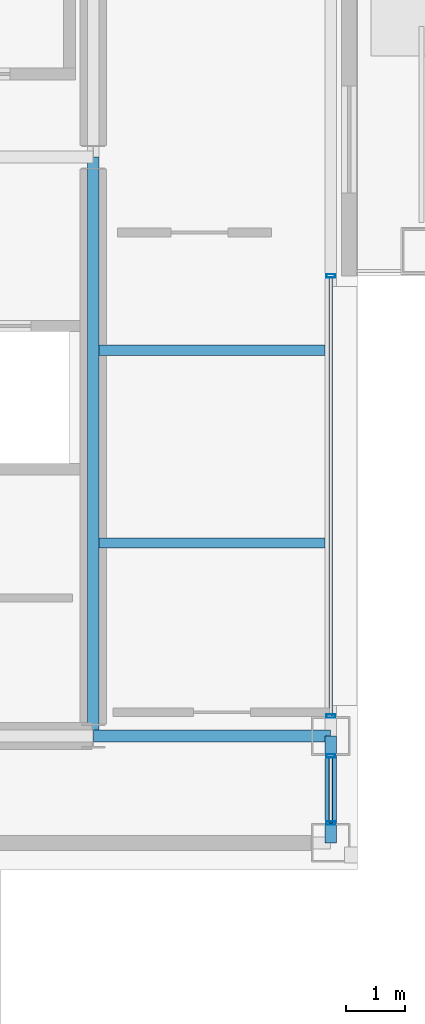
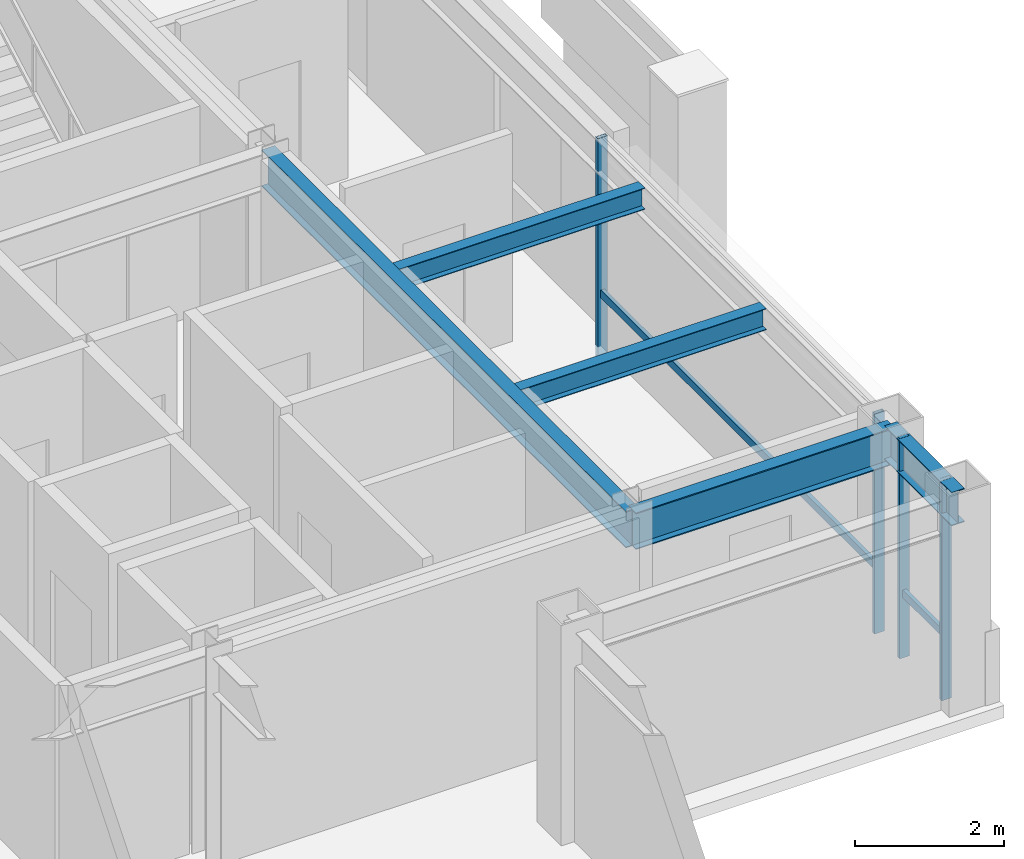
# One storey, part 11 of 24: 6 members, 5 beams, 2 elements without a shape of their own.
"""IFC4 building model written with IfcOpenShell, lengths in metres."""

from ifc_helpers import new_model, si_unit, direction, frame, origin, origin_2d, place, context, subcontext, project, spatial, hollow_rectangle, i_section, extrude, material, layer, layer_set, material_profile, profile_set, type_object, element, aggregate, save


model = new_model("IFC4")

# Units and contexts
model_context = context("Model", 3, precision=1e-05, world=origin(), true_north=direction((0.0, 1.0)))
body_context = subcontext(model_context, "Body", "Model", "MODEL_VIEW")
ifc_project = project(units=[si_unit("LENGTHUNIT", "METRE"), si_unit("AREAUNIT", "SQUARE_METRE"), si_unit("VOLUMEUNIT", "CUBIC_METRE"), si_unit("PLANEANGLEUNIT", "RADIAN"), si_unit("MASSUNIT", "GRAM", prefix="KILO")], contexts=[model_context])

# Site, building, storey
site_placement = place(None, origin())
site = spatial("IfcSite", under=ifc_project, at=site_placement, CompositionType="ELEMENT")
building_placement = place(site_placement, origin())
building = spatial("IfcBuilding", under=site, at=building_placement, Name="Brelmoor Portico Tower", CompositionType="ELEMENT")
storey_placement = place(building_placement, frame((0.0, 0.0, 232.800048828125)))
storey = spatial("IfcBuildingStorey", under=building, at=storey_placement, Name="L61", CompositionType="ELEMENT", Elevation=232.800048828125)

# Beams
ifc_material_1 = material(Name="Steel Q355B", Category="steel")
ifc_material_profile_1 = material_profile(ifc_material_1, i_section(OverallWidth=0.175048828125, OverallDepth=0.35009765625, WebThickness=0.007080078125, FlangeThickness=0.010986328125, at=origin_2d()), Name="HN 350x175x7x11")
ifc_profile_set_1 = profile_set([ifc_material_profile_1], Name="Steel Q355B")
beam_type_1 = type_object("IfcBeamType", Name="BM-JS-350", PredefinedType="JOIST", material=ifc_profile_set_1)
for number, where, z_axis, x_axis, name in (
    (1, (14.64990234375, -6.5, 3.224853515625), (1.0, 0.0, 0.0), (0.0, 1.0, 0.0), "L61 Secondary Wing Joist JS-E11"),
    (2, (14.64990234375, -3.25, 3.224853515625), (1.0, 0.0, 0.0), (0.0, 1.0, 0.0), "L61 Secondary Wing Joist JS-E12"),
):
    element("IfcBeam", number, at=place(storey_placement, frame(where, z_axis=z_axis, x_axis=x_axis)), inside=storey, type_object=beam_type_1, Name=name, PredefinedType="JOIST", context=body_context, shape_type="SweptSolid", body=[
        extrude(i_section(OverallWidth=0.175048828125, OverallDepth=0.35009765625, WebThickness=0.007080078125, FlangeThickness=0.010986328125, at=origin_2d()), origin(), (0.0, 0.0, 1.0), 3.800048828125),
    ])
ifc_material_profile_2 = material_profile(ifc_material_1, i_section(OverallWidth=0.199951171875, OverallDepth=0.60009765625, WebThickness=0.010986328125, FlangeThickness=0.01708984375, at=origin_2d()), Name="HN 600x200x11x17")
ifc_profile_set_2 = profile_set([ifc_material_profile_2], Name="Steel Q355B")
beam_type_2 = type_object("IfcBeamType", Name="BM-PG-600", PredefinedType="BEAM", material=ifc_profile_set_2)
beam_1_placement = place(storey_placement, frame((14.550048828125, -9.75, 3.099853515625), z_axis=(0.0, 1.0, 0.0), x_axis=(-1.0, 0.0, 0.0)))
element("IfcBeam", 3, at=beam_1_placement, inside=storey, type_object=beam_type_2, Name="L61 Primary Floor Girder PG-09", PredefinedType="BEAM", context=body_context, shape_type="SweptSolid", body=[
    extrude(i_section(OverallWidth=0.199951171875, OverallDepth=0.60009765625, WebThickness=0.010986328125, FlangeThickness=0.01708984375, at=origin_2d()), origin(), (0.0, 0.0, 1.0), 9.75),
])
beam_2_placement = place(storey_placement, frame((14.550048828125, -9.75, 3.099853515625), z_axis=(1.0, 0.0, 0.0), x_axis=(0.0, 1.0, 0.0)))
element("IfcBeam", 4, at=beam_2_placement, inside=storey, type_object=beam_type_2, Name="L61 Primary Floor Girder PG-15", PredefinedType="BEAM", context=body_context, shape_type="SweptSolid", body=[
    extrude(i_section(OverallWidth=0.199951171875, OverallDepth=0.60009765625, WebThickness=0.010986328125, FlangeThickness=0.01708984375, at=origin_2d()), origin(), (0.0, 0.0, 1.0), 4.0),
])
ifc_material_profile_3 = material_profile(ifc_material_1, i_section(OverallWidth=0.199951171875, OverallDepth=0.550048828125, WebThickness=0.010009765625, FlangeThickness=0.01611328125, at=origin_2d()), Name="HN 550x200x10x16")
ifc_profile_set_3 = profile_set([ifc_material_profile_3], Name="Steel Q355B")
beam_type_3 = type_object("IfcBeamType", Name="BM-SP-550", PredefinedType="SPANDREL", material=ifc_profile_set_3)
beam_3_placement = place(storey_placement, frame((18.550048828125, -11.550048828125, 3.125), z_axis=(0.0, 1.0, 0.0), x_axis=(-1.0, 0.0, 0.0)))
element("IfcBeam", 5, at=beam_3_placement, inside=storey, type_object=beam_type_3, Name="L61 Perimeter Spandrel Beam SP-18", PredefinedType="SPANDREL", context=body_context, shape_type="SweptSolid", body=[
    extrude(i_section(OverallWidth=0.199951171875, OverallDepth=0.550048828125, WebThickness=0.010009765625, FlangeThickness=0.01611328125, at=origin_2d()), origin(), (0.0, 0.0, 1.0), 1.800048828125),
])

# Curtain wall, members
ifc_material_2 = material(Name="Anodised Aluminium Alloy 6063-T6", Category="aluminium")
ifc_layer = layer(ifc_material_2, 0.179931640625)
ifc_layer_set = layer_set([ifc_layer], Name="Anodised Aluminium Alloy 6063-T6")
curtain_wall_type = type_object("IfcCurtainWallType", Name="CW-TOWER-Z4", PredefinedType="NOTDEFINED", material=ifc_layer_set)
curtain_wall_1_placement = place(storey_placement, origin())
curtain_wall_1 = element("IfcCurtainWall", 6, at=curtain_wall_1_placement, inside=storey, type_object=curtain_wall_type, Name="L61 Curtain Wall CW-L61-4L-1", PredefinedType="NOTDEFINED")
ifc_material_profile_4 = material_profile(ifc_material_2, hollow_rectangle(XDim=0.06005859375, YDim=0.14990234375, WallThickness=0.00390625, at=origin_2d()), Name="ALU MULLION 60x150")
ifc_profile_set_4 = profile_set([ifc_material_profile_4], Name="Anodised Aluminium Alloy 6063-T6")
member_type_1 = type_object("IfcMemberType", Name="MB-CW-MULL-150", PredefinedType="MULLION", material=ifc_profile_set_4)
member_1_placement = place(storey_placement, frame((18.550048828125, -11.215087890625, -0.199951171875), z_axis=(0.0, 0.0, 1.0), x_axis=(0.0, 1.0, 0.0)))
member_1 = element("IfcMember", 7, at=member_1_placement, type_object=member_type_1, Name="CW-L61-4L-1 Mullion 00", PredefinedType="MULLION", context=body_context, shape_type="SweptSolid", body=[
    extrude(hollow_rectangle(XDim=0.06005859375, YDim=0.14990234375, WallThickness=0.00390625, at=origin_2d()), origin(), (0.0, 0.0, 1.0), 3.599853515625),
])
member_2_placement = place(storey_placement, frame((18.550048828125, -10.0849609375, -0.199951171875), z_axis=(0.0, 0.0, 1.0), x_axis=(0.0, 1.0, 0.0)))
member_2 = element("IfcMember", 8, at=member_2_placement, type_object=member_type_1, Name="CW-L61-4L-1 Mullion 01", PredefinedType="MULLION", context=body_context, shape_type="SweptSolid", body=[
    extrude(hollow_rectangle(XDim=0.06005859375, YDim=0.14990234375, WallThickness=0.00390625, at=origin_2d()), origin(), (0.0, 0.0, 1.0), 3.599853515625),
])

curtain_wall_2_placement = place(storey_placement, origin())
curtain_wall_2 = element("IfcCurtainWall", 9, at=curtain_wall_2_placement, inside=storey, type_object=curtain_wall_type, Name="L61 Curtain Wall CW-L61-4L-2", PredefinedType="NOTDEFINED")
member_3_placement = place(storey_placement, frame((18.550048828125, -9.4150390625, -0.199951171875), z_axis=(0.0, 0.0, 1.0), x_axis=(0.0, 1.0, 0.0)))
member_3 = element("IfcMember", 10, at=member_3_placement, type_object=member_type_1, Name="CW-L61-4L-2 Mullion 00", PredefinedType="MULLION", context=body_context, shape_type="SweptSolid", body=[
    extrude(hollow_rectangle(XDim=0.06005859375, YDim=0.14990234375, WallThickness=0.00390625, at=origin_2d()), origin(), (0.0, 0.0, 1.0), 3.599853515625),
])
member_4_placement = place(storey_placement, frame((18.550048828125, -2.0, -0.199951171875), z_axis=(0.0, 0.0, 1.0), x_axis=(0.0, 1.0, 0.0)))
member_4 = element("IfcMember", 11, at=member_4_placement, type_object=member_type_1, Name="CW-L61-4L-2 Mullion 01", PredefinedType="MULLION", context=body_context, shape_type="SweptSolid", body=[
    extrude(hollow_rectangle(XDim=0.06005859375, YDim=0.14990234375, WallThickness=0.00390625, at=origin_2d()), origin(), (0.0, 0.0, 1.0), 3.599853515625),
])

# Member
ifc_material_profile_5 = material_profile(ifc_material_2, hollow_rectangle(XDim=0.06005859375, YDim=0.125, WallThickness=0.00341796875, at=origin_2d()), Name="ALU TRANSOM 60x125")
ifc_profile_set_5 = profile_set([ifc_material_profile_5], Name="Anodised Aluminium Alloy 6063-T6")
member_type_2 = type_object("IfcMemberType", Name="MB-CW-TRAN-125", PredefinedType="USERDEFINED", material=ifc_profile_set_5)
member_5_placement = place(storey_placement, frame((18.550048828125, -11.215087890625, 0.849853515625), z_axis=(0.0, 1.0, 0.0), x_axis=(-1.0, 0.0, 0.0)))
member_5 = element("IfcMember", 12, at=member_5_placement, type_object=member_type_2, Name="CW-L61-4L-1 Transom 1-00", ObjectType="TRANSOM", PredefinedType="USERDEFINED", context=body_context, shape_type="SweptSolid", body=[
    extrude(hollow_rectangle(XDim=0.06005859375, YDim=0.125, WallThickness=0.00341796875, at=origin_2d()), origin(), (0.0, 0.0, 1.0), 1.130126953125),
])

aggregate(curtain_wall_1, [member_1, member_2, member_5])

member_6_placement = place(storey_placement, frame((18.550048828125, -9.4150390625, 0.849853515625), z_axis=(0.0, 1.0, 0.0), x_axis=(-1.0, 0.0, 0.0)))
member_6 = element("IfcMember", 13, at=member_6_placement, type_object=member_type_2, Name="CW-L61-4L-2 Transom 1-00", ObjectType="TRANSOM", PredefinedType="USERDEFINED", context=body_context, shape_type="SweptSolid", body=[
    extrude(hollow_rectangle(XDim=0.06005859375, YDim=0.125, WallThickness=0.00341796875, at=origin_2d()), origin(), (0.0, 0.0, 1.0), 7.4150390625),
])

aggregate(curtain_wall_2, [member_3, member_4, member_6])

save(model, "model.ifc")
